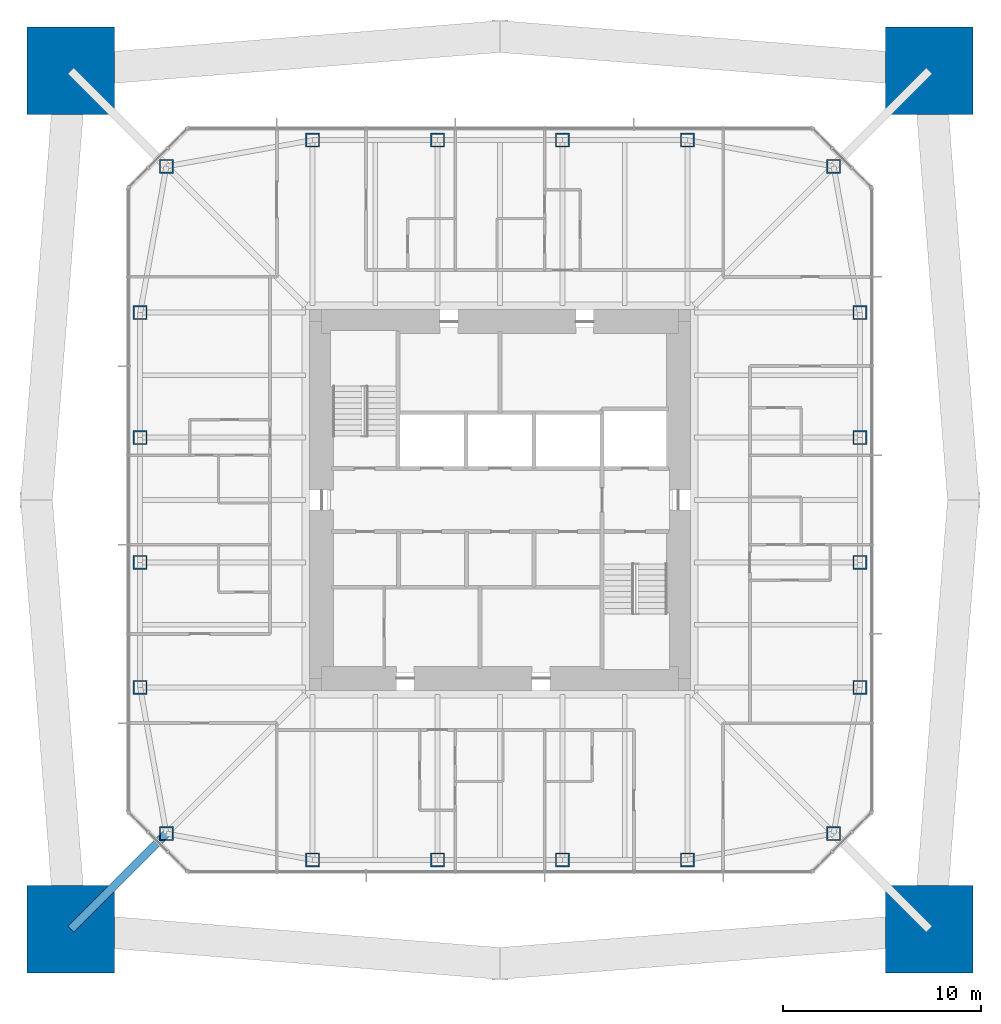
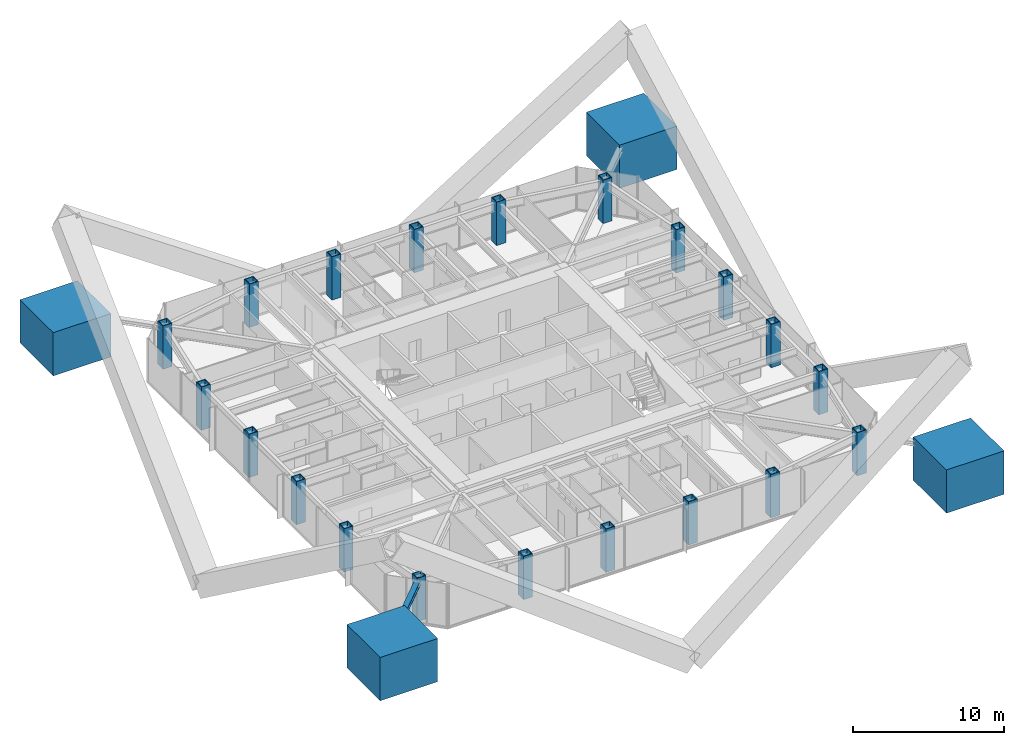
# One storey, part 1 of 13: 24 columns, 1 member.
"""IFC4 building model written with IfcOpenShell, lengths in metres."""

import ifcopenshell
import ifcopenshell.guid

model = None  # the IFC model being written
_history = None  # IfcOwnerHistory: only IFC2X3 demands one
_inside = {}  # id of a spatial element -> (the spatial element, [elements in it])
_under = {}  # id of a project, library or spatial element -> (it, [spatial elements below it])
_declared = {}  # id of a project -> (the project, [libraries it declares])
_typed = {}  # id of a type object -> (the type object, [elements of that type])
_made_of = {}  # id of a material, layer set ... -> (it, [elements and type objects made of it])


def new_model(schema):
    """Start an empty IFC model of exactly this schema.

    Asked for "IFC4X3", IfcOpenShell would pick the latest addendum, in which some entities
    have other attributes; the version numbers below select the first issue.
    IFC2X3 requires an IfcOwnerHistory on every rooted entity: one is made here for all.
    """
    global model, _history
    if schema == "IFC4X3":
        model = ifcopenshell.file(schema_version=(4, 3, 0, 0))
    else:
        model = ifcopenshell.file(schema=schema)
    _inside.clear()
    _under.clear()
    _declared.clear()
    _typed.clear()
    _made_of.clear()
    _history = None
    if model.schema == "IFC2X3":
        org = make("IfcOrganization", Name="unknown")
        user = make(
            "IfcPersonAndOrganization",
            ThePerson=make("IfcPerson", FamilyName="unknown"),
            TheOrganization=org,
        )
        app = make(
            "IfcApplication",
            ApplicationDeveloper=org,
            Version="unknown",
            ApplicationFullName="unknown",
            ApplicationIdentifier="unknown",
        )
        _history = make(
            "IfcOwnerHistory",
            OwningUser=user,
            OwningApplication=app,
            ChangeAction="ADDED",
            CreationDate=0,
        )
    return model


def make(cls, **values):
    """One entity of the class cls with the attributes given. An attribute that is None is left unset."""
    return model.create_entity(
        cls, **{name: value for name, value in values.items() if value is not None}
    )


def rooted(cls, **values):
    """An entity with a GlobalId (a new one), such as an element, a storey or a relation."""
    return make(cls, GlobalId=ifcopenshell.guid.new(), OwnerHistory=_history, **values)


def si_unit(unit_type, name, prefix=None):
    """IfcSIUnit, for example si_unit("LENGTHUNIT", "METRE", prefix="MILLI")."""
    return make("IfcSIUnit", UnitType=unit_type, Prefix=prefix, Name=name)


def assignment(units):
    """IfcUnitAssignment: the units of a project."""
    return None if units is None else make("IfcUnitAssignment", Units=units)


def point(xyz):
    """IfcCartesianPoint."""
    return None if xyz is None else make("IfcCartesianPoint", Coordinates=xyz)


def direction(xyz):
    """IfcDirection."""
    return None if xyz is None else make("IfcDirection", DirectionRatios=xyz)


def frame(location, z_axis=None, x_axis=None):
    """IfcAxis2Placement3D, a coordinate frame: its origin and axes. An axis left out is left unset."""
    return make(
        "IfcAxis2Placement3D",
        Location=point(location),
        Axis=direction(z_axis),
        RefDirection=direction(x_axis),
    )


def frame_2d(location, x_axis=None):
    """IfcAxis2Placement2D, a coordinate frame in the plane: its origin and x axis."""
    return make(
        "IfcAxis2Placement2D", Location=point(location), RefDirection=direction(x_axis)
    )


def origin():
    """The frame at (0, 0, 0) with its axes left unset."""
    return frame((0.0, 0.0, 0.0))


def origin_2d():
    """The frame at (0, 0) in the plane with its x axis left unset."""
    return frame_2d((0.0, 0.0))


def place(relative_to, where):
    """IfcLocalPlacement: puts the frame where relative to a parent placement (None: the world)."""
    return make(
        "IfcLocalPlacement", PlacementRelTo=relative_to, RelativePlacement=where
    )


def context(
    kind, dimensions, precision=None, world=None, true_north=None, identifier=None
):
    """IfcGeometricRepresentationContext, for example the 3D "Model" context."""
    return make(
        "IfcGeometricRepresentationContext",
        ContextIdentifier=identifier,
        ContextType=kind,
        CoordinateSpaceDimension=dimensions,
        Precision=precision,
        WorldCoordinateSystem=world,
        TrueNorth=true_north,
    )


def subcontext(parent, identifier, kind, view, scale=None):
    """IfcGeometricRepresentationSubContext, for example "Body" below "Model"."""
    return make(
        "IfcGeometricRepresentationSubContext",
        ContextIdentifier=identifier,
        ContextType=kind,
        ParentContext=parent,
        TargetScale=scale,
        TargetView=view,
    )


def project(units=None, contexts=None):
    """IfcProject with its units and contexts."""
    return rooted(
        "IfcProject",
        Name="project",
        RepresentationContexts=contexts,
        UnitsInContext=assignment(units),
    )


def spatial(cls, under=None, at=None, **own):
    """A site, building, storey or space (cls), placed at a placement, below another one or the project."""
    s = rooted(cls, ObjectPlacement=at, **own)
    if under is not None:
        _under.setdefault(under.id(), (under, []))[1].append(s)
    return s


def profile(cls, at=None, kind="AREA", **sizes):
    """A parametric profile (cls). Its sizes go by their IFC names, for example OverallWidth=200.0."""
    return make(cls, ProfileType=kind, Position=at, **sizes)


def rectangle(**sizes):
    """IfcRectangleProfileDef."""
    return profile("IfcRectangleProfileDef", **sizes)


def hollow_rectangle(**sizes):
    """IfcRectangleHollowProfileDef."""
    return profile("IfcRectangleHollowProfileDef", **sizes)


def i_section(**sizes):
    """IfcIShapeProfileDef."""
    return profile("IfcIShapeProfileDef", **sizes)


def extrude(swept, where, along, depth):
    """IfcExtrudedAreaSolid: the profile swept, set in the frame where, extruded along a direction by depth."""
    return make(
        "IfcExtrudedAreaSolid",
        SweptArea=swept,
        Position=where,
        ExtrudedDirection=direction(along),
        Depth=depth,
    )


def shape(context_of_items, identifier, shape_type, items):
    """IfcShapeRepresentation: the items that make up one representation, for example the "Body"."""
    return make(
        "IfcShapeRepresentation",
        ContextOfItems=context_of_items,
        RepresentationIdentifier=identifier,
        RepresentationType=shape_type,
        Items=items,
    )


def material(Name=None, Category=None):
    """IfcMaterial."""
    return make("IfcMaterial", Name=Name, Category=Category)


def material_profile(
    of_material, cross_section, Name=None, Category=None, Priority=None
):
    """IfcMaterialProfile: a cross section and its material."""
    return make(
        "IfcMaterialProfile",
        Name=Name,
        Material=of_material,
        Profile=cross_section,
        Priority=Priority,
        Category=Category,
    )


def profile_set(profiles, Name=None, composite=None):
    """IfcMaterialProfileSet."""
    return make(
        "IfcMaterialProfileSet",
        Name=Name,
        MaterialProfiles=profiles,
        CompositeProfile=composite,
    )


def made_of(thing, what):
    """Note that an element or type object is made of a material, layer set ...; save() writes the relation."""
    if what is not None:
        _made_of.setdefault(what.id(), (what, []))[1].append(thing)
    return thing


def type_object(cls, material=None, **own):
    """A type object (cls), such as IfcWallType, which elements share."""
    return made_of(rooted(cls, **own), material)


def element(
    cls,
    number,
    at=None,
    inside=None,
    cuts=None,
    type_object=None,
    material=None,
    context=None,
    identifier="Body",
    shape_type=None,
    held_by="IfcProductDefinitionShape",
    body=None,
    shapes=None,
    **own,
):
    """One element of the class cls, such as IfcWall. Its Tag is "e" and its number.

    at: its placement. inside: the storey or other place that contains it. cuts: it is an
    opening in that element (IfcRelVoidsElement). A single representation is given by context,
    identifier, shape_type and body (its items); several are given by shapes. held_by: the class
    of the entity that holds the representations. save() writes the other relations.
    """
    e = rooted(cls, Tag="e%d" % number, ObjectPlacement=at, **own)
    if body is not None:
        shapes = [shape(context, identifier, shape_type, body)]
    if shapes is not None:
        e.Representation = make(held_by, Representations=shapes)
    if inside is not None:
        _inside.setdefault(inside.id(), (inside, []))[1].append(e)
    if cuts is not None:
        rooted(
            "IfcRelVoidsElement", RelatingBuildingElement=cuts, RelatedOpeningElement=e
        )
    if type_object is not None:
        _typed.setdefault(type_object.id(), (type_object, []))[1].append(e)
    return made_of(e, material)


def aggregate(whole, parts):
    """IfcRelAggregates: a whole, such as a stair, and the parts it consists of."""
    return rooted("IfcRelAggregates", RelatingObject=whole, RelatedObjects=parts)


def save(model, path):
    """Write the relations noted so far, then the file.

    IfcRelAggregates (storeys below a building ...), IfcRelContainedInSpatialStructure (elements
    in a storey), IfcRelDefinesByType, IfcRelAssociatesMaterial and IfcRelDeclares: one each for
    every whole, place, type object, material and project.
    """
    for whole, parts in _under.values():
        aggregate(whole, parts)
    for where, things in _inside.values():
        rooted(
            "IfcRelContainedInSpatialStructure",
            RelatedElements=things,
            RelatingStructure=where,
        )
    for kind, things in _typed.values():
        rooted("IfcRelDefinesByType", RelatedObjects=things, RelatingType=kind)
    for what, things in _made_of.values():
        rooted("IfcRelAssociatesMaterial", RelatedObjects=things, RelatingMaterial=what)
    for by, libraries in _declared.values():
        rooted("IfcRelDeclares", RelatingContext=by, RelatedDefinitions=libraries)
    model.write(path)


model = new_model("IFC4")

# Units and contexts
model_context = context("Model", 3, precision=1e-05, world=origin(), true_north=direction((0.0, 1.0)))
body_context = subcontext(model_context, "Body", "Model", "MODEL_VIEW")
ifc_project = project(units=[si_unit("LENGTHUNIT", "METRE"), si_unit("AREAUNIT", "SQUARE_METRE"), si_unit("VOLUMEUNIT", "CUBIC_METRE"), si_unit("PLANEANGLEUNIT", "RADIAN"), si_unit("MASSUNIT", "GRAM", prefix="KILO")], contexts=[model_context])

# Site, building, storey
site_placement = place(None, origin())
site = spatial("IfcSite", under=ifc_project, at=site_placement, CompositionType="ELEMENT")
building_placement = place(site_placement, origin())
building = spatial("IfcBuilding", under=site, at=building_placement, Name="Iwan Alto Co-Living Towers", CompositionType="ELEMENT")
storey_placement = place(building_placement, frame((0.0, 0.0, 167.0)))
storey = spatial("IfcBuildingStorey", under=building, at=storey_placement, Name="L45", CompositionType="ELEMENT", Elevation=167.0)

# Columns
ifc_material_1 = material(Name="Concrete f'c 70 MPa", Category="concrete")
ifc_material_profile_1 = material_profile(ifc_material_1, rectangle(XDim=4.39990234375, YDim=4.39990234375, at=origin_2d()), Name="RC 4400X4400")
ifc_profile_set_1 = profile_set([ifc_material_profile_1], Name="Concrete f'c 70 MPa")
column_type_1 = type_object("IfcColumnType", Name="T1 MEGA COLUMN RC 4400X4400", PredefinedType="COLUMN", material=ifc_profile_set_1)
for number, where, z_axis, x_axis, name in (
    (1, (-21.64990234375, -21.64990234375, 0.0), (0.0, 0.0, 1.0), (1.0, 0.0, 0.0), "T1 mega column SW L45"),
    (2, (21.64990234375, -21.64990234375, 0.0), (0.0, 0.0, 1.0), (1.0, 0.0, 0.0), "T1 mega column SE L45"),
    (3, (21.64990234375, 21.64990234375, 0.0), (0.0, 0.0, 1.0), (1.0, 0.0, 0.0), "T1 mega column NE L45"),
    (4, (-21.64990234375, 21.64990234375, 0.0), (0.0, 0.0, 1.0), (1.0, 0.0, 0.0), "T1 mega column NW L45"),
):
    element("IfcColumn", number, at=place(storey_placement, frame(where, z_axis=z_axis, x_axis=x_axis)), inside=storey, type_object=column_type_1, Name=name, PredefinedType="COLUMN", context=body_context, shape_type="SweptSolid", body=[
        extrude(rectangle(XDim=4.39990234375, YDim=4.39990234375, at=origin_2d()), origin(), (0.0, 0.0, 1.0), 3.5),
        extrude(i_section(OverallWidth=0.4775390625, OverallDepth=0.599365234375, WebThickness=0.10009765625, FlangeThickness=0.139892578125, at=origin_2d()), origin(), (0.0, 0.0, 1.0), 3.5),
    ])
ifc_material_2 = material(Name="Steel ASTM A572 Gr 50", Category="steel")
ifc_material_profile_2 = material_profile(ifc_material_2, hollow_rectangle(XDim=0.699951171875, YDim=0.699951171875, WallThickness=0.06005859375, at=origin_2d()), Name="BOX 700X700X60")
ifc_profile_set_2 = profile_set([ifc_material_profile_2], Name="Steel ASTM A572 Gr 50")
column_type_2 = type_object("IfcColumnType", Name="T1 RING COLUMN BOX 700X700X60", PredefinedType="COLUMN", material=ifc_profile_set_2)
for number, where, z_axis, x_axis, name in (
    (5, (-16.82568359375, -16.82568359375, 0.0), (0.0, 0.0, 1.0), (1.0, 0.0, 0.0), "T1 ring column CSW L45"),
    (6, (-9.449951171875, -18.14990234375, 0.0), (0.0, 0.0, 1.0), (1.0, 0.0, 0.0), "T1 ring column S1 L45"),
    (7, (-3.14990234375, -18.14990234375, 0.0), (0.0, 0.0, 1.0), (1.0, 0.0, 0.0), "T1 ring column S2 L45"),
    (8, (3.14990234375, -18.14990234375, 0.0), (0.0, 0.0, 1.0), (1.0, 0.0, 0.0), "T1 ring column S3 L45"),
    (9, (9.449951171875, -18.14990234375, 0.0), (0.0, 0.0, 1.0), (1.0, 0.0, 0.0), "T1 ring column S4 L45"),
    (10, (16.82568359375, -16.82568359375, 0.0), (0.0, 0.0, 1.0), (1.0, 0.0, 0.0), "T1 ring column CSE L45"),
    (11, (18.14990234375, -9.449951171875, 0.0), (0.0, 0.0, 1.0), (1.0, 0.0, 0.0), "T1 ring column E1 L45"),
    (12, (18.14990234375, -3.14990234375, 0.0), (0.0, 0.0, 1.0), (1.0, 0.0, 0.0), "T1 ring column E2 L45"),
    (13, (18.14990234375, 3.14990234375, 0.0), (0.0, 0.0, 1.0), (1.0, 0.0, 0.0), "T1 ring column E3 L45"),
    (14, (18.14990234375, 9.449951171875, 0.0), (0.0, 0.0, 1.0), (1.0, 0.0, 0.0), "T1 ring column E4 L45"),
    (15, (16.82568359375, 16.82568359375, 0.0), (0.0, 0.0, 1.0), (1.0, 0.0, 0.0), "T1 ring column CNE L45"),
    (16, (9.449951171875, 18.14990234375, 0.0), (0.0, 0.0, 1.0), (1.0, 0.0, 0.0), "T1 ring column N1 L45"),
    (17, (3.14990234375, 18.14990234375, 0.0), (0.0, 0.0, 1.0), (1.0, 0.0, 0.0), "T1 ring column N2 L45"),
    (18, (-3.14990234375, 18.14990234375, 0.0), (0.0, 0.0, 1.0), (1.0, 0.0, 0.0), "T1 ring column N3 L45"),
    (19, (-9.449951171875, 18.14990234375, 0.0), (0.0, 0.0, 1.0), (1.0, 0.0, 0.0), "T1 ring column N4 L45"),
    (20, (-16.82568359375, 16.82568359375, 0.0), (0.0, 0.0, 1.0), (1.0, 0.0, 0.0), "T1 ring column CNW L45"),
    (21, (-18.14990234375, 9.449951171875, 0.0), (0.0, 0.0, 1.0), (1.0, 0.0, 0.0), "T1 ring column W1 L45"),
    (22, (-18.14990234375, 3.14990234375, 0.0), (0.0, 0.0, 1.0), (1.0, 0.0, 0.0), "T1 ring column W2 L45"),
    (23, (-18.14990234375, -3.14990234375, 0.0), (0.0, 0.0, 1.0), (1.0, 0.0, 0.0), "T1 ring column W3 L45"),
    (24, (-18.14990234375, -9.449951171875, 0.0), (0.0, 0.0, 1.0), (1.0, 0.0, 0.0), "T1 ring column W4 L45"),
):
    element("IfcColumn", number, at=place(storey_placement, frame(where, z_axis=z_axis, x_axis=x_axis)), inside=storey, type_object=column_type_2, Name=name, PredefinedType="COLUMN", context=body_context, shape_type="SweptSolid", body=[
        extrude(hollow_rectangle(XDim=0.699951171875, YDim=0.699951171875, WallThickness=0.06005859375, at=origin_2d()), origin(), (0.0, 0.0, 1.0), 3.5),
    ])

# Member
ifc_material_3 = material(Name="Steel ASTM A992 Gr 50", Category="steel")
ifc_material_profile_3 = material_profile(ifc_material_3, i_section(OverallWidth=0.393798828125, OverallDepth=0.3759765625, WebThickness=0.017333984375, FlangeThickness=0.027587890625, at=origin_2d()), Name="W14X145")
ifc_profile_set_3 = profile_set([ifc_material_profile_3], Name="Steel ASTM A992 Gr 50")
member_type = type_object("IfcMemberType", Name="T1 MEGA COLUMN FLOOR TIE W14X145", PredefinedType="STRUT", material=ifc_profile_set_3)
member_placement = place(storey_placement, frame((-21.64990234375, -21.64990234375, 3.08203125), z_axis=(0.707106781187, 0.707106781187, 0.0), x_axis=(-0.707106781187, 0.707106781187, 0.0)))
element("IfcMember", 25, at=member_placement, inside=storey, type_object=member_type, Name="T1 mega column floor tie SW L46", PredefinedType="STRUT", context=body_context, shape_type="SweptSolid", body=[
    extrude(i_section(OverallWidth=0.393798828125, OverallDepth=0.3759765625, WebThickness=0.017333984375, FlangeThickness=0.027587890625, at=origin_2d()), origin(), (0.0, 0.0, 1.0), 6.822509765625),
])

save(model, "model.ifc")
